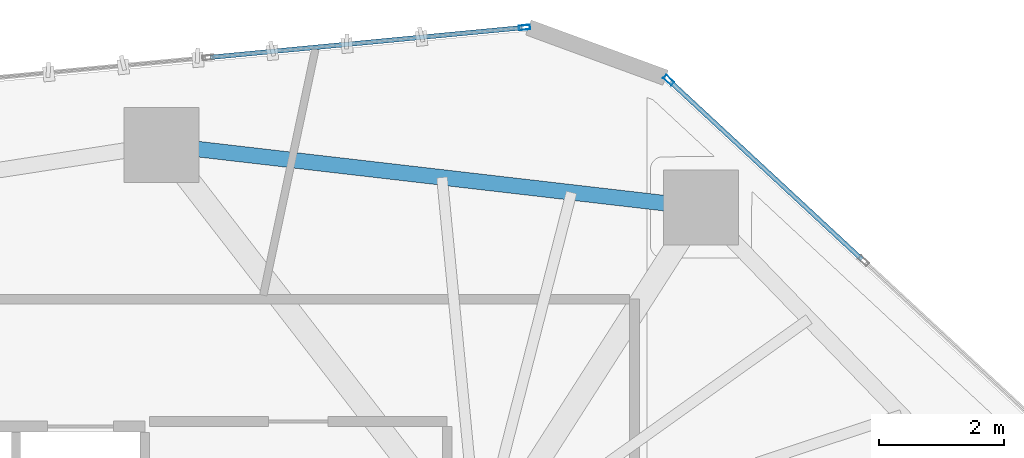
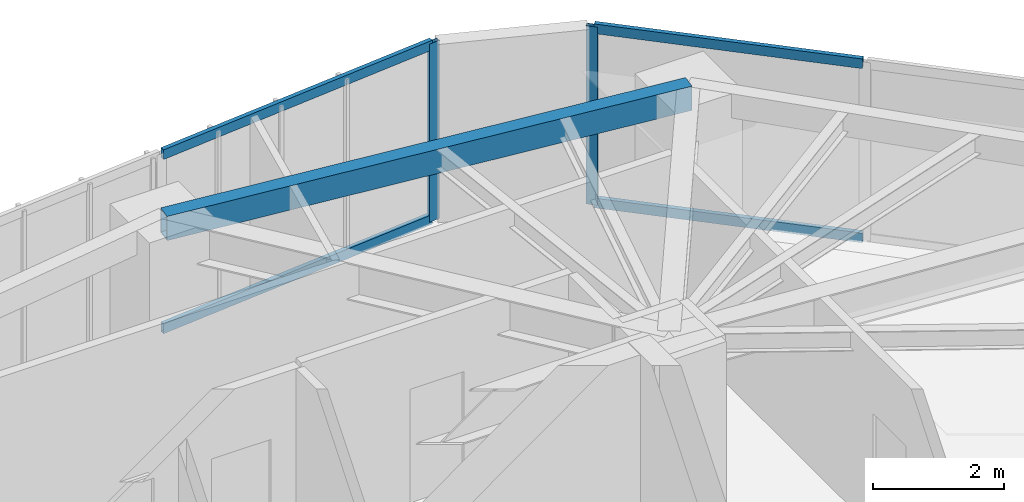
# One storey, part 16 of 22: 6 members, 1 beam, 2 elements without a shape of their own.
"""IFC4 building model written with IfcOpenShell, lengths in metres."""

import ifcopenshell
import ifcopenshell.guid

model = None  # the IFC model being written
_history = None  # IfcOwnerHistory: only IFC2X3 demands one
_inside = {}  # id of a spatial element -> (the spatial element, [elements in it])
_under = {}  # id of a project, library or spatial element -> (it, [spatial elements below it])
_declared = {}  # id of a project -> (the project, [libraries it declares])
_typed = {}  # id of a type object -> (the type object, [elements of that type])
_made_of = {}  # id of a material, layer set ... -> (it, [elements and type objects made of it])


def new_model(schema):
    """Start an empty IFC model of exactly this schema.

    Asked for "IFC4X3", IfcOpenShell would pick the latest addendum, in which some entities
    have other attributes; the version numbers below select the first issue.
    IFC2X3 requires an IfcOwnerHistory on every rooted entity: one is made here for all.
    """
    global model, _history
    if schema == "IFC4X3":
        model = ifcopenshell.file(schema_version=(4, 3, 0, 0))
    else:
        model = ifcopenshell.file(schema=schema)
    _inside.clear()
    _under.clear()
    _declared.clear()
    _typed.clear()
    _made_of.clear()
    _history = None
    if model.schema == "IFC2X3":
        org = make("IfcOrganization", Name="unknown")
        user = make(
            "IfcPersonAndOrganization",
            ThePerson=make("IfcPerson", FamilyName="unknown"),
            TheOrganization=org,
        )
        app = make(
            "IfcApplication",
            ApplicationDeveloper=org,
            Version="unknown",
            ApplicationFullName="unknown",
            ApplicationIdentifier="unknown",
        )
        _history = make(
            "IfcOwnerHistory",
            OwningUser=user,
            OwningApplication=app,
            ChangeAction="ADDED",
            CreationDate=0,
        )
    return model


def make(cls, **values):
    """One entity of the class cls with the attributes given. An attribute that is None is left unset."""
    return model.create_entity(
        cls, **{name: value for name, value in values.items() if value is not None}
    )


def rooted(cls, **values):
    """An entity with a GlobalId (a new one), such as an element, a storey or a relation."""
    return make(cls, GlobalId=ifcopenshell.guid.new(), OwnerHistory=_history, **values)


def si_unit(unit_type, name, prefix=None):
    """IfcSIUnit, for example si_unit("LENGTHUNIT", "METRE", prefix="MILLI")."""
    return make("IfcSIUnit", UnitType=unit_type, Prefix=prefix, Name=name)


def assignment(units):
    """IfcUnitAssignment: the units of a project."""
    return None if units is None else make("IfcUnitAssignment", Units=units)


def point(xyz):
    """IfcCartesianPoint."""
    return None if xyz is None else make("IfcCartesianPoint", Coordinates=xyz)


def direction(xyz):
    """IfcDirection."""
    return None if xyz is None else make("IfcDirection", DirectionRatios=xyz)


def frame(location, z_axis=None, x_axis=None):
    """IfcAxis2Placement3D, a coordinate frame: its origin and axes. An axis left out is left unset."""
    return make(
        "IfcAxis2Placement3D",
        Location=point(location),
        Axis=direction(z_axis),
        RefDirection=direction(x_axis),
    )


def frame_2d(location, x_axis=None):
    """IfcAxis2Placement2D, a coordinate frame in the plane: its origin and x axis."""
    return make(
        "IfcAxis2Placement2D", Location=point(location), RefDirection=direction(x_axis)
    )


def origin():
    """The frame at (0, 0, 0) with its axes left unset."""
    return frame((0.0, 0.0, 0.0))


def origin_2d():
    """The frame at (0, 0) in the plane with its x axis left unset."""
    return frame_2d((0.0, 0.0))


def place(relative_to, where):
    """IfcLocalPlacement: puts the frame where relative to a parent placement (None: the world)."""
    return make(
        "IfcLocalPlacement", PlacementRelTo=relative_to, RelativePlacement=where
    )


def context(
    kind, dimensions, precision=None, world=None, true_north=None, identifier=None
):
    """IfcGeometricRepresentationContext, for example the 3D "Model" context."""
    return make(
        "IfcGeometricRepresentationContext",
        ContextIdentifier=identifier,
        ContextType=kind,
        CoordinateSpaceDimension=dimensions,
        Precision=precision,
        WorldCoordinateSystem=world,
        TrueNorth=true_north,
    )


def subcontext(parent, identifier, kind, view, scale=None):
    """IfcGeometricRepresentationSubContext, for example "Body" below "Model"."""
    return make(
        "IfcGeometricRepresentationSubContext",
        ContextIdentifier=identifier,
        ContextType=kind,
        ParentContext=parent,
        TargetScale=scale,
        TargetView=view,
    )


def project(units=None, contexts=None):
    """IfcProject with its units and contexts."""
    return rooted(
        "IfcProject",
        Name="project",
        RepresentationContexts=contexts,
        UnitsInContext=assignment(units),
    )


def spatial(cls, under=None, at=None, **own):
    """A site, building, storey or space (cls), placed at a placement, below another one or the project."""
    s = rooted(cls, ObjectPlacement=at, **own)
    if under is not None:
        _under.setdefault(under.id(), (under, []))[1].append(s)
    return s


def profile(cls, at=None, kind="AREA", **sizes):
    """A parametric profile (cls). Its sizes go by their IFC names, for example OverallWidth=200.0."""
    return make(cls, ProfileType=kind, Position=at, **sizes)


def hollow_rectangle(**sizes):
    """IfcRectangleHollowProfileDef."""
    return profile("IfcRectangleHollowProfileDef", **sizes)


def extrude(swept, where, along, depth):
    """IfcExtrudedAreaSolid: the profile swept, set in the frame where, extruded along a direction by depth."""
    return make(
        "IfcExtrudedAreaSolid",
        SweptArea=swept,
        Position=where,
        ExtrudedDirection=direction(along),
        Depth=depth,
    )


def shape(context_of_items, identifier, shape_type, items):
    """IfcShapeRepresentation: the items that make up one representation, for example the "Body"."""
    return make(
        "IfcShapeRepresentation",
        ContextOfItems=context_of_items,
        RepresentationIdentifier=identifier,
        RepresentationType=shape_type,
        Items=items,
    )


def source(mapping_origin, context_of_items, identifier, shape_type, items):
    """IfcRepresentationMap: a shape defined once, which mapped items show again and again."""
    return make(
        "IfcRepresentationMap",
        MappingOrigin=mapping_origin,
        MappedRepresentation=shape(context_of_items, identifier, shape_type, items),
    )


def transform(
    local_origin,
    x_axis=None,
    y_axis=None,
    z_axis=None,
    scale=None,
    scale2=None,
    scale3=None,
    uniform=True,
):
    """IfcCartesianTransformationOperator3D, or its non-uniform kind. x_axis, y_axis, z_axis: its Axis1, 2, 3."""
    if uniform:
        return make(
            "IfcCartesianTransformationOperator3D",
            Axis1=direction(x_axis),
            Axis2=direction(y_axis),
            LocalOrigin=point(local_origin),
            Scale=scale,
            Axis3=direction(z_axis),
        )
    return make(
        "IfcCartesianTransformationOperator3DnonUniform",
        Axis1=direction(x_axis),
        Axis2=direction(y_axis),
        LocalOrigin=point(local_origin),
        Scale=scale,
        Axis3=direction(z_axis),
        Scale2=scale2,
        Scale3=scale3,
    )


def mapped(mapping_source, mapping_target):
    """IfcMappedItem: shows the shape of a source again, moved by a transform."""
    return make(
        "IfcMappedItem", MappingSource=mapping_source, MappingTarget=mapping_target
    )


def material(Name=None, Category=None):
    """IfcMaterial."""
    return make("IfcMaterial", Name=Name, Category=Category)


def layer(
    of_material, thickness, ventilated=None, Name=None, Category=None, Priority=None
):
    """IfcMaterialLayer: one layer of a wall or slab, of a material (None: an air gap)."""
    return make(
        "IfcMaterialLayer",
        Material=of_material,
        LayerThickness=thickness,
        IsVentilated=ventilated,
        Name=Name,
        Category=Category,
        Priority=Priority,
    )


def layer_set(layers, Name=None):
    """IfcMaterialLayerSet."""
    return make("IfcMaterialLayerSet", MaterialLayers=layers, LayerSetName=Name)


def material_profile(
    of_material, cross_section, Name=None, Category=None, Priority=None
):
    """IfcMaterialProfile: a cross section and its material."""
    return make(
        "IfcMaterialProfile",
        Name=Name,
        Material=of_material,
        Profile=cross_section,
        Priority=Priority,
        Category=Category,
    )


def profile_set(profiles, Name=None, composite=None):
    """IfcMaterialProfileSet."""
    return make(
        "IfcMaterialProfileSet",
        Name=Name,
        MaterialProfiles=profiles,
        CompositeProfile=composite,
    )


def made_of(thing, what):
    """Note that an element or type object is made of a material, layer set ...; save() writes the relation."""
    if what is not None:
        _made_of.setdefault(what.id(), (what, []))[1].append(thing)
    return thing


def type_object(cls, material=None, **own):
    """A type object (cls), such as IfcWallType, which elements share."""
    return made_of(rooted(cls, **own), material)


def type_shapes(of_type, sources):
    """Give a type object the sources (RepresentationMaps) that its elements show as mapped items."""
    of_type.RepresentationMaps = sources


def element(
    cls,
    number,
    at=None,
    inside=None,
    cuts=None,
    type_object=None,
    material=None,
    context=None,
    identifier="Body",
    shape_type=None,
    held_by="IfcProductDefinitionShape",
    body=None,
    shapes=None,
    **own,
):
    """One element of the class cls, such as IfcWall. Its Tag is "e" and its number.

    at: its placement. inside: the storey or other place that contains it. cuts: it is an
    opening in that element (IfcRelVoidsElement). A single representation is given by context,
    identifier, shape_type and body (its items); several are given by shapes. held_by: the class
    of the entity that holds the representations. save() writes the other relations.
    """
    e = rooted(cls, Tag="e%d" % number, ObjectPlacement=at, **own)
    if body is not None:
        shapes = [shape(context, identifier, shape_type, body)]
    if shapes is not None:
        e.Representation = make(held_by, Representations=shapes)
    if inside is not None:
        _inside.setdefault(inside.id(), (inside, []))[1].append(e)
    if cuts is not None:
        rooted(
            "IfcRelVoidsElement", RelatingBuildingElement=cuts, RelatedOpeningElement=e
        )
    if type_object is not None:
        _typed.setdefault(type_object.id(), (type_object, []))[1].append(e)
    return made_of(e, material)


def aggregate(whole, parts):
    """IfcRelAggregates: a whole, such as a stair, and the parts it consists of."""
    return rooted("IfcRelAggregates", RelatingObject=whole, RelatedObjects=parts)


def save(model, path):
    """Write the relations noted so far, then the file.

    IfcRelAggregates (storeys below a building ...), IfcRelContainedInSpatialStructure (elements
    in a storey), IfcRelDefinesByType, IfcRelAssociatesMaterial and IfcRelDeclares: one each for
    every whole, place, type object, material and project.
    """
    for whole, parts in _under.values():
        aggregate(whole, parts)
    for where, things in _inside.values():
        rooted(
            "IfcRelContainedInSpatialStructure",
            RelatedElements=things,
            RelatingStructure=where,
        )
    for kind, things in _typed.values():
        rooted("IfcRelDefinesByType", RelatedObjects=things, RelatingType=kind)
    for what, things in _made_of.values():
        rooted("IfcRelAssociatesMaterial", RelatedObjects=things, RelatingMaterial=what)
    for by, libraries in _declared.values():
        rooted("IfcRelDeclares", RelatingContext=by, RelatedDefinitions=libraries)
    model.write(path)


model = new_model("IFC4")

# Units and contexts
model_context = context("Model", 3, precision=1e-05, world=origin(), true_north=direction((0.0, 1.0)))
body_context = subcontext(model_context, "Body", "Model", "MODEL_VIEW")
ifc_project = project(units=[si_unit("LENGTHUNIT", "METRE"), si_unit("AREAUNIT", "SQUARE_METRE"), si_unit("VOLUMEUNIT", "CUBIC_METRE"), si_unit("PLANEANGLEUNIT", "RADIAN"), si_unit("MASSUNIT", "GRAM", prefix="KILO")], contexts=[model_context])

# Site, building, storey
site_placement = place(None, origin())
site = spatial("IfcSite", under=ifc_project, at=site_placement, CompositionType="ELEMENT")
building_placement = place(site_placement, origin())
building = spatial("IfcBuilding", under=site, at=building_placement, Name="Talar Marvaseh", CompositionType="ELEMENT")
storey_placement = place(building_placement, frame((0.0, 0.0, 107.39990234375)))
storey = spatial("IfcBuildingStorey", under=building, at=storey_placement, Name="L27", CompositionType="ELEMENT", Elevation=107.39990234375)

# Beam
ifc_material_1 = material(Name="Steel S355", Category="steel")
ifc_material_profile_1 = material_profile(ifc_material_1, hollow_rectangle(XDim=0.25, YDim=0.449951171875, WallThickness=0.01611328125, at=origin_2d()), Name="RHS450x250x16")
ifc_profile_set_1 = profile_set([ifc_material_profile_1], Name="Steel S355")
beam_type = type_object("IfcBeamType", Name="Zone 2 Perimeter Spandrel Beam RHS450x250x16", PredefinedType="SPANDREL", material=ifc_profile_set_1)
beam_placement = place(storey_placement, frame((28.221923828125, 43.471923828125, 3.085205078125), z_axis=(0.993361914569, -0.115030894474, 0.0), x_axis=(0.115030894474, 0.993361914569, 0.0)))
element("IfcBeam", 1, at=beam_placement, inside=storey, type_object=beam_type, Name="L27 Zone 2 Perimeter Spandrel Beam RHS450x250x16", PredefinedType="SPANDREL", context=body_context, shape_type="SweptSolid", body=[
    extrude(hollow_rectangle(XDim=0.25, YDim=0.449951171875, WallThickness=0.01611328125, at=origin_2d()), origin(), (0.0, 0.0, 1.0), 8.701904296875),
])

# Curtain wall, member
ifc_material_2 = material(Name="Architectural Aluminium", Category="aluminium")
ifc_layer = layer(ifc_material_2, 0.199951171875)
ifc_layer_set = layer_set([ifc_layer], Name="Architectural Aluminium")
curtain_wall_type = type_object("IfcCurtainWallType", Name="Unitised Acoustic Library Curtain Wall Z2", PredefinedType="NOTDEFINED", material=ifc_layer_set)
curtain_wall_1_placement = place(storey_placement, origin())
curtain_wall_1 = element("IfcCurtainWall", 2, at=curtain_wall_1_placement, inside=storey, type_object=curtain_wall_type, Name="L27 Unitised Acoustic Library Curtain Wall Z2", PredefinedType="NOTDEFINED")
ifc_material_profile_2 = material_profile(ifc_material_2, hollow_rectangle(XDim=0.074951171875, YDim=0.179931640625, WallThickness=0.0048828125, at=origin_2d()), Name="RHS180x75x5")
ifc_profile_set_2 = profile_set([ifc_material_profile_2], Name="Architectural Aluminium")
member_type_1 = type_object("IfcMemberType", Name="Unitised Curtain Wall Standard Mullion RHS180x75x5", PredefinedType="MULLION", material=ifc_profile_set_2)
shared_shape_1 = source(origin(), body_context, "Body", "SweptSolid", [
    extrude(hollow_rectangle(XDim=0.074951171875, YDim=0.179931640625, WallThickness=0.0048828125, at=origin_2d()), origin(), (0.0, 0.0, 1.0), 3.31005859375),
])
type_shapes(member_type_1, [shared_shape_1])
member_1_placement = place(storey_placement, frame((34.037353515625, 45.353271484375, 0.0), z_axis=(0.0, 0.0, 1.0), x_axis=(-0.094671107411, 0.995508604394, 0.0)))
member_1 = element("IfcMember", 3, at=member_1_placement, type_object=member_type_1, Name="CW-Z2 mullion 4", PredefinedType="MULLION", context=body_context, shape_type="MappedRepresentation", body=[
    mapped(shared_shape_1, transform((0.0, 0.0, 0.0), x_axis=(1.0, 0.0, 0.0), y_axis=(0.0, 1.0, 0.0), z_axis=(0.0, 0.0, 1.0), scale=1.0)),
])

# Curtain wall, members
curtain_wall_2_placement = place(storey_placement, origin())
curtain_wall_2 = element("IfcCurtainWall", 4, at=curtain_wall_2_placement, inside=storey, type_object=curtain_wall_type, Name="L27 Unitised Acoustic Library Curtain Wall Z2", PredefinedType="NOTDEFINED")
member_2_placement = place(storey_placement, frame((36.346435546875, 44.510009765625, 0.0), z_axis=(0.0, 0.0, 1.0), x_axis=(0.680030201623, 0.733184100264, 0.0)))
member_2 = element("IfcMember", 5, at=member_2_placement, type_object=member_type_1, Name="CW-Z2 mullion 1", PredefinedType="MULLION", context=body_context, shape_type="MappedRepresentation", body=[
    mapped(shared_shape_1, transform((0.0, 0.0, 0.0), x_axis=(1.0, 0.0, 0.0), y_axis=(0.0, 1.0, 0.0), z_axis=(0.0, 0.0, 1.0), scale=1.0)),
])
ifc_material_profile_3 = material_profile(ifc_material_2, hollow_rectangle(XDim=0.074951171875, YDim=0.179931640625, WallThickness=0.0048828125, at=origin_2d()), Name="RHS180x75x5")
ifc_profile_set_3 = profile_set([ifc_material_profile_3], Name="Architectural Aluminium")
member_type_2 = type_object("IfcMemberType", Name="Unitised Curtain Wall Transom RHS180x75x5", PredefinedType="USERDEFINED", material=ifc_profile_set_3)
shared_shape_2 = source(origin(), body_context, "Body", "SweptSolid", [
    extrude(hollow_rectangle(XDim=0.074951171875, YDim=0.179931640625, WallThickness=0.0048828125, at=origin_2d()), origin(), (0.0, 0.0, 1.0), 4.185302734375),
])
member_3_placement = place(storey_placement, frame((36.3740234375, 44.484619140625, 0.03759765625), z_axis=(0.733177728149, -0.680037071744, 0.0), x_axis=(0.680037071744, 0.733177728149, 0.0)))
member_3 = element("IfcMember", 6, at=member_3_placement, type_object=member_type_2, Name="CW-Z2 transom 1.1", ObjectType="TRANSOM", PredefinedType="USERDEFINED", context=body_context, shape_type="MappedRepresentation", body=[
    mapped(shared_shape_2, transform((0.0, 0.0, 0.0), x_axis=(1.0, 0.0, 0.0), y_axis=(0.0, 1.0, 0.0), z_axis=(0.0, 0.0, 1.0), scale=1.0)),
])
member_4_placement = place(storey_placement, frame((36.3740234375, 44.484619140625, 3.272705078125), z_axis=(0.733177728149, -0.680037071744, 0.0), x_axis=(0.680037071744, 0.733177728149, 0.0)))
member_4 = element("IfcMember", 7, at=member_4_placement, type_object=member_type_2, Name="CW-Z2 transom 1.2", ObjectType="TRANSOM", PredefinedType="USERDEFINED", context=body_context, shape_type="MappedRepresentation", body=[
    mapped(shared_shape_2, transform((0.0, 0.0, 0.0), x_axis=(1.0, 0.0, 0.0), y_axis=(0.0, 1.0, 0.0), z_axis=(0.0, 0.0, 1.0), scale=1.0)),
])
aggregate(curtain_wall_2, [member_2, member_3, member_4])

# Member
shared_shape_3 = source(origin(), body_context, "Body", "SweptSolid", [
    extrude(hollow_rectangle(XDim=0.074951171875, YDim=0.179931640625, WallThickness=0.0048828125, at=origin_2d()), origin(), (0.0, 0.0, 1.0), 5.017333984375),
])
type_shapes(member_type_2, [shared_shape_2, shared_shape_3])
member_5_placement = place(storey_placement, frame((29.005126953125, 44.874755859375, 0.03759765625), z_axis=(0.995511422958, 0.094641464277, 0.0), x_axis=(-0.094641464277, 0.995511422958, 0.0)))
member_5 = element("IfcMember", 8, at=member_5_placement, type_object=member_type_2, Name="CW-Z2 transom 3.1", ObjectType="TRANSOM", PredefinedType="USERDEFINED", context=body_context, shape_type="MappedRepresentation", body=[
    mapped(shared_shape_3, transform((0.0, 0.0, 0.0), x_axis=(1.0, 0.0, 0.0), y_axis=(0.0, 1.0, 0.0), z_axis=(0.0, 0.0, 1.0), scale=1.0)),
])

member_6_placement = place(storey_placement, frame((29.005126953125, 44.874755859375, 3.272705078125), z_axis=(0.995511422958, 0.094641464277, 0.0), x_axis=(-0.094641464277, 0.995511422958, 0.0)))
member_6 = element("IfcMember", 9, at=member_6_placement, type_object=member_type_2, Name="CW-Z2 transom 3.2", ObjectType="TRANSOM", PredefinedType="USERDEFINED", context=body_context, shape_type="MappedRepresentation", body=[
    mapped(shared_shape_3, transform((0.0, 0.0, 0.0), x_axis=(1.0, 0.0, 0.0), y_axis=(0.0, 1.0, 0.0), z_axis=(0.0, 0.0, 1.0), scale=1.0)),
])

aggregate(curtain_wall_1, [member_1, member_5, member_6])

save(model, "model.ifc")
